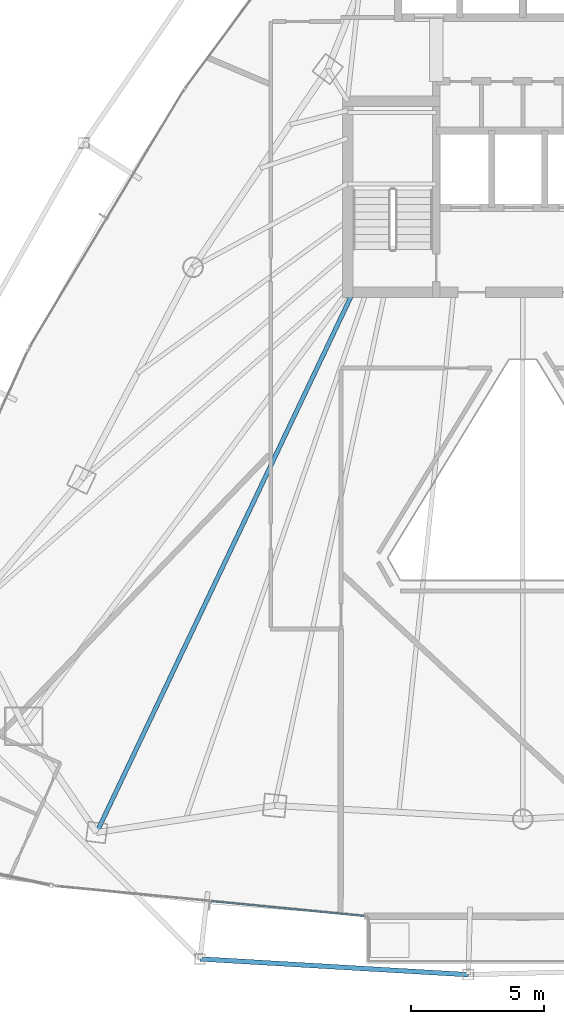
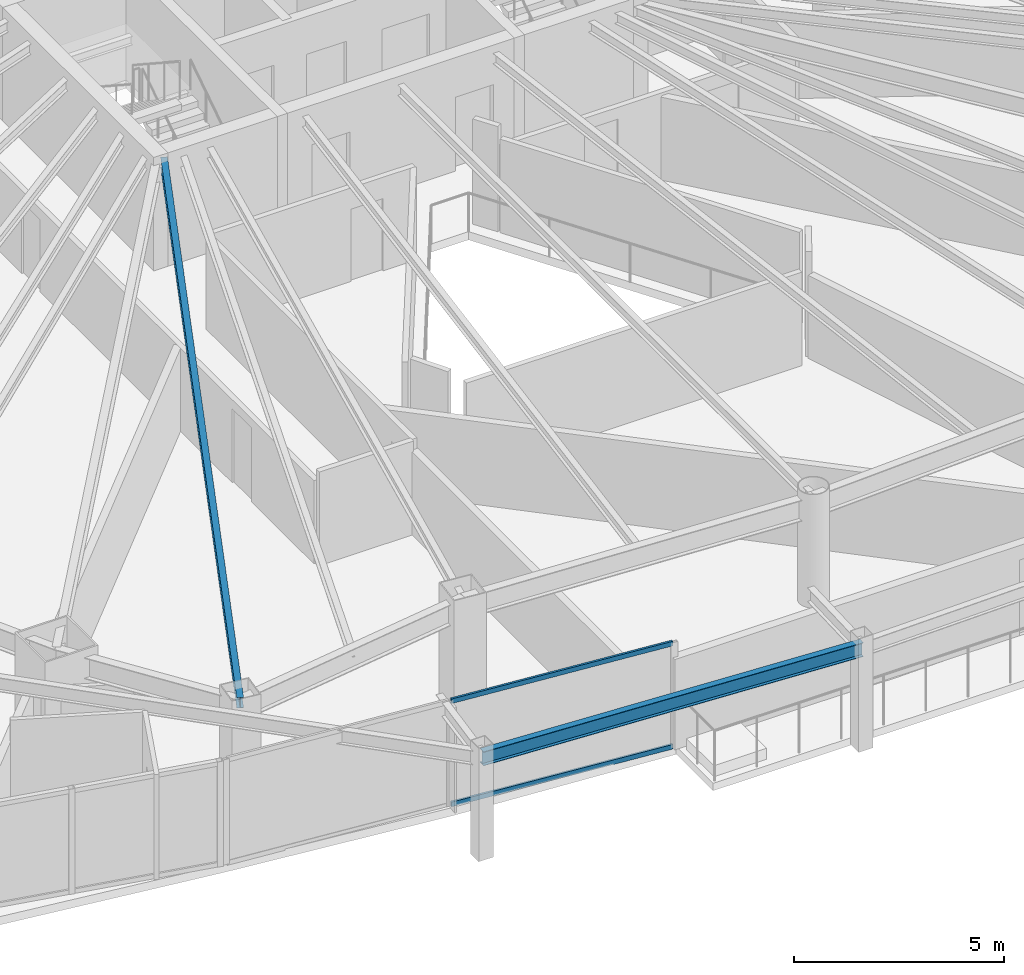
# One storey, part 5 of 31: 2 beams, 2 members, 1 element without a shape of its own.
"""IFC4 building model written with IfcOpenShell, lengths in metres."""

from ifc_helpers import new_model, si_unit, direction, frame, origin, origin_2d, place, context, subcontext, project, spatial, hollow_rectangle, i_section, extrude, material, layer, layer_set, material_profile, profile_set, type_object, element, aggregate, save


model = new_model("IFC4")

# Units and contexts
model_context = context("Model", 3, precision=1e-05, world=origin(), true_north=direction((0.0, 1.0)))
body_context = subcontext(model_context, "Body", "Model", "MODEL_VIEW")
ifc_project = project(units=[si_unit("LENGTHUNIT", "METRE"), si_unit("AREAUNIT", "SQUARE_METRE"), si_unit("VOLUMEUNIT", "CUBIC_METRE"), si_unit("PLANEANGLEUNIT", "RADIAN"), si_unit("MASSUNIT", "GRAM", prefix="KILO")], contexts=[model_context])

# Site, building, storey
site_placement = place(None, origin())
site = spatial("IfcSite", under=ifc_project, at=site_placement, CompositionType="ELEMENT")
building_placement = place(site_placement, origin())
building = spatial("IfcBuilding", under=site, at=building_placement, Name="Orvanel Arch Residences", CompositionType="ELEMENT")
storey_placement = place(building_placement, frame((0.0, 0.0, 129.800048828125)))
storey = spatial("IfcBuildingStorey", under=building, at=storey_placement, Name="L36", CompositionType="ELEMENT", Elevation=129.800048828125)

# Beams
ifc_material_1 = material(Name="Structural steel AS/NZS 3679.1 Grade 300 (300 MPa)", Category="steel")
ifc_material_profile_1 = material_profile(ifc_material_1, i_section(OverallWidth=0.1650390625, OverallDepth=0.303955078125, WebThickness=0.006103515625, FlangeThickness=0.01025390625, at=origin_2d()), Name="310UB40.4")
ifc_profile_set_1 = profile_set([ifc_material_profile_1], Name="Structural steel AS/NZS 3679.1 Grade 300 (300 MPa)")
beam_type_1 = type_object("IfcBeamType", Name="BJ-310UB", PredefinedType="JOIST", material=ifc_profile_set_1)
beam_1_placement = place(storey_placement, frame((26.60009765625, 26.699951171875, 2.907958984375), z_axis=(-0.428614365266, -0.903487534993, 0.0), x_axis=(0.903487534993, -0.428614365266, 0.0)))
element("IfcBeam", 1, at=beam_1_placement, inside=storey, type_object=beam_type_1, Name="L36 MSW Wing Floor Joist", PredefinedType="JOIST", context=body_context, shape_type="SweptSolid", body=[
    extrude(i_section(OverallWidth=0.1650390625, OverallDepth=0.303955078125, WebThickness=0.006103515625, FlangeThickness=0.01025390625, at=origin_2d()), origin(), (0.0, 0.0, 1.0), 22.535888671875),
])
ifc_material_profile_2 = material_profile(ifc_material_1, i_section(OverallWidth=0.177978515625, OverallDepth=0.406005859375, WebThickness=0.0078125, FlangeThickness=0.0126953125, at=origin_2d()), Name="410UB59.7")
ifc_profile_set_2 = profile_set([ifc_material_profile_2], Name="Structural steel AS/NZS 3679.1 Grade 300 (300 MPa)")
beam_type_2 = type_object("IfcBeamType", Name="OB-410UB-EXT", PredefinedType="SPANDREL", material=ifc_profile_set_2)
beam_2_placement = place(storey_placement, frame((20.8359375, 1.572021484375, 2.85693359375), z_axis=(0.998284168197, -0.058555269, 0.0), x_axis=(0.058555269, 0.998284168197, 0.0)))
element("IfcBeam", 2, at=beam_2_placement, inside=storey, type_object=beam_type_2, Name="L36 Outer Perimeter Floor Ring Beam 05", PredefinedType="SPANDREL", context=body_context, shape_type="SweptSolid", body=[
    extrude(i_section(OverallWidth=0.177978515625, OverallDepth=0.406005859375, WebThickness=0.0078125, FlangeThickness=0.0126953125, at=origin_2d()), origin(), (0.0, 0.0, 1.0), 10.12744140625),
])

# Curtain wall, members
ifc_material_2 = material(Name="Bronze-anodised aluminium AA6063-T6", Category="aluminium")
ifc_layer = layer(ifc_material_2, 0.179931640625)
ifc_layer_set = layer_set([ifc_layer], Name="Bronze-anodised aluminium AA6063-T6")
curtain_wall_type = type_object("IfcCurtainWallType", Name="CW3-MID-SYS", PredefinedType="NOTDEFINED", material=ifc_layer_set)
curtain_wall_placement = place(storey_placement, origin())
curtain_wall = element("IfcCurtainWall", 3, at=curtain_wall_placement, inside=storey, type_object=curtain_wall_type, Name="L36 CW3-MID-SYS Unitised Curtain Wall", PredefinedType="NOTDEFINED")
ifc_material_profile_3 = material_profile(ifc_material_2, hollow_rectangle(XDim=0.06005859375, YDim=0.135009765625, WallThickness=0.00390625, at=origin_2d()), Name="ALU135x60x4")
ifc_profile_set_3 = profile_set([ifc_material_profile_3], Name="Bronze-anodised aluminium AA6063-T6")
member_type = type_object("IfcMemberType", Name="TRN-135x60", PredefinedType="USERDEFINED", material=ifc_profile_set_3)
member_1_placement = place(storey_placement, frame((21.245361328125, 3.752685546875, 0.030029296875), z_axis=(0.995342586227, -0.096400913086, 0.0), x_axis=(0.096400913086, 0.995342586227, 0.0)))
member_1 = element("IfcMember", 4, at=member_1_placement, type_object=member_type, Name="CW-S3 transom 2.1", ObjectType="TRANSOM", PredefinedType="USERDEFINED", context=body_context, shape_type="SweptSolid", body=[
    extrude(hollow_rectangle(XDim=0.06005859375, YDim=0.135009765625, WallThickness=0.00390625, at=origin_2d()), origin(), (0.0, 0.0, 1.0), 5.797119140625),
])
member_2_placement = place(storey_placement, frame((21.245361328125, 3.752685546875, 3.030029296875), z_axis=(0.995342586227, -0.096400913086, 0.0), x_axis=(0.096400913086, 0.995342586227, 0.0)))
member_2 = element("IfcMember", 5, at=member_2_placement, type_object=member_type, Name="CW-S3 transom 2.2", ObjectType="TRANSOM", PredefinedType="USERDEFINED", context=body_context, shape_type="SweptSolid", body=[
    extrude(hollow_rectangle(XDim=0.06005859375, YDim=0.135009765625, WallThickness=0.00390625, at=origin_2d()), origin(), (0.0, 0.0, 1.0), 5.797119140625),
])
aggregate(curtain_wall, [member_1, member_2])

save(model, "model.ifc")
